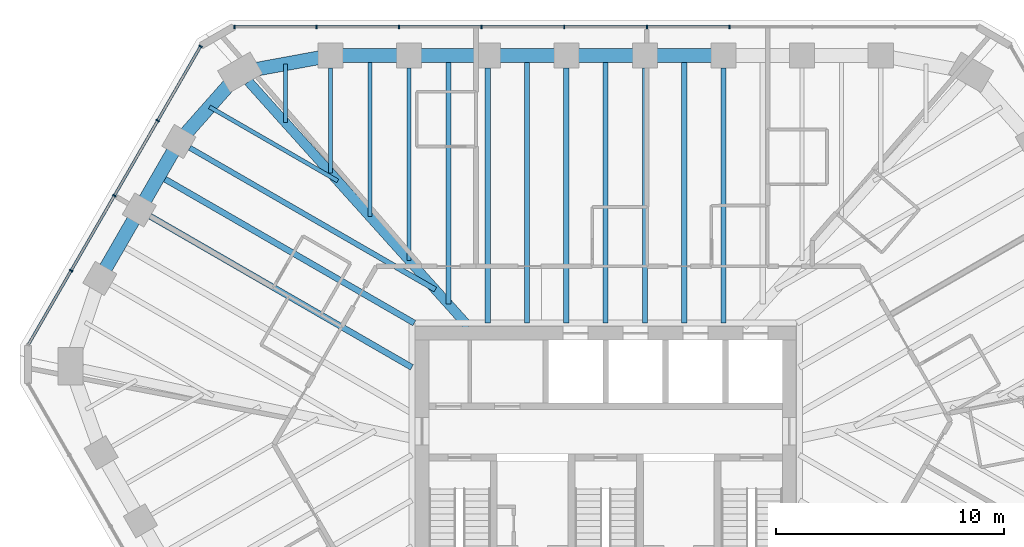
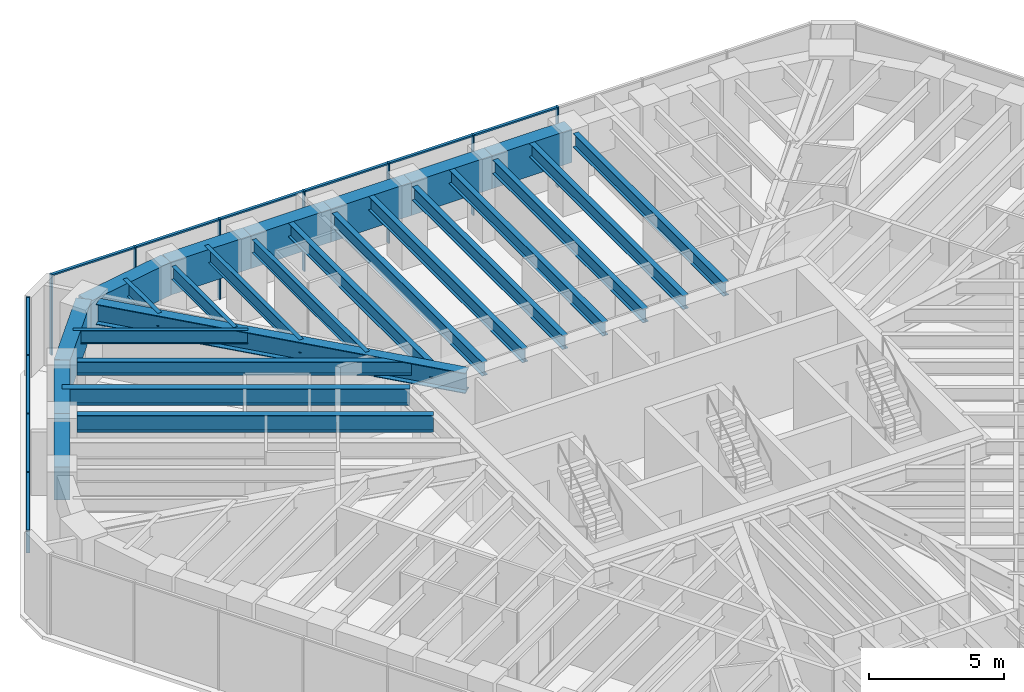
# One storey, part 6 of 14: 26 beams, 21 members, 2 elements without a shape of their own.
"""IFC4 building model written with IfcOpenShell, lengths in metres."""

from ifc_helpers import new_model, si_unit, direction, frame, origin, origin_2d, place, context, subcontext, project, spatial, rectangle, i_section, extrude, material, material_profile, profile_set, type_object, element, aggregate, save


model = new_model("IFC4")

# Units and contexts
model_context = context("Model", 3, precision=1e-05, world=origin(), true_north=direction((0.0, 1.0)))
body_context = subcontext(model_context, "Body", "Model", "MODEL_VIEW")
ifc_project = project(units=[si_unit("LENGTHUNIT", "METRE"), si_unit("AREAUNIT", "SQUARE_METRE"), si_unit("VOLUMEUNIT", "CUBIC_METRE"), si_unit("PLANEANGLEUNIT", "RADIAN"), si_unit("MASSUNIT", "GRAM", prefix="KILO")], contexts=[model_context])

# Site, building, storey
site_placement = place(None, origin())
site = spatial("IfcSite", under=ifc_project, at=site_placement, CompositionType="ELEMENT")
building_placement = place(site_placement, origin())
building = spatial("IfcBuilding", under=site, at=building_placement, Name="Sandreach Pilgrim Tower", CompositionType="ELEMENT")
storey_placement = place(building_placement, frame((0.0, 0.0, 276.0)))
storey = spatial("IfcBuildingStorey", under=building, at=storey_placement, Name="L69", CompositionType="ELEMENT", Elevation=276.0)

# Curtain wall, members
ifc_material_1 = material(Name="Aluminium framed curtain wall", Category="aluminium")
curtain_wall_type = type_object("IfcCurtainWallType", Name="Suite tower curtain wall", PredefinedType="NOTDEFINED", material=ifc_material_1)
curtain_wall_1_placement = place(storey_placement, origin())
curtain_wall_1 = element("IfcCurtainWall", 1, at=curtain_wall_1_placement, inside=storey, type_object=curtain_wall_type, Name="CW-4 L69 N", PredefinedType="NOTDEFINED")
ifc_material_2 = material(Name="Aluminium extrusion", Category="aluminium")
ifc_material_profile_1 = material_profile(ifc_material_2, rectangle(XDim=0.06005859375, YDim=0.159912109375, at=origin_2d()), Name="CW-4M 60X160")
ifc_profile_set_1 = profile_set([ifc_material_profile_1], Name="Aluminium extrusion")
member_type_1 = type_object("IfcMemberType", Name="CW-4 mullion", PredefinedType="MULLION", material=ifc_profile_set_1)
member_1_placement = place(storey_placement, frame((-16.268310546875, 19.826416015625, 0.0), z_axis=(0.0, 0.0, 1.0), x_axis=(1.0, 0.0, 0.0)))
member_1 = element("IfcMember", 2, at=member_1_placement, type_object=member_type_1, Name="CW-4 mullion 1", PredefinedType="MULLION", context=body_context, shape_type="SweptSolid", body=[
    extrude(rectangle(XDim=0.06005859375, YDim=0.159912109375, at=origin_2d()), origin(), (0.0, 0.0, 1.0), 3.639892578125),
])
member_2_placement = place(storey_placement, frame((-12.676513671875, 19.826416015625, 0.0), z_axis=(0.0, 0.0, 1.0), x_axis=(1.0, 0.0, 0.0)))
member_2 = element("IfcMember", 3, at=member_2_placement, type_object=member_type_1, Name="CW-4 mullion 2", PredefinedType="MULLION", context=body_context, shape_type="SweptSolid", body=[
    extrude(rectangle(XDim=0.06005859375, YDim=0.159912109375, at=origin_2d()), origin(), (0.0, 0.0, 1.0), 3.639892578125),
])
member_3_placement = place(storey_placement, frame((-9.0546875, 19.826416015625, 0.0), z_axis=(0.0, 0.0, 1.0), x_axis=(1.0, 0.0, 0.0)))
member_3 = element("IfcMember", 4, at=member_3_placement, type_object=member_type_1, Name="CW-4 mullion 3", PredefinedType="MULLION", context=body_context, shape_type="SweptSolid", body=[
    extrude(rectangle(XDim=0.06005859375, YDim=0.159912109375, at=origin_2d()), origin(), (0.0, 0.0, 1.0), 3.639892578125),
])
member_4_placement = place(storey_placement, frame((-5.432861328125, 19.826416015625, 0.0), z_axis=(0.0, 0.0, 1.0), x_axis=(1.0, 0.0, 0.0)))
member_4 = element("IfcMember", 5, at=member_4_placement, type_object=member_type_1, Name="CW-4 mullion 4", PredefinedType="MULLION", context=body_context, shape_type="SweptSolid", body=[
    extrude(rectangle(XDim=0.06005859375, YDim=0.159912109375, at=origin_2d()), origin(), (0.0, 0.0, 1.0), 3.639892578125),
])
member_5_placement = place(storey_placement, frame((-1.81103515625, 19.826416015625, 0.0), z_axis=(0.0, 0.0, 1.0), x_axis=(1.0, 0.0, 0.0)))
member_5 = element("IfcMember", 6, at=member_5_placement, type_object=member_type_1, Name="CW-4 mullion 5", PredefinedType="MULLION", context=body_context, shape_type="SweptSolid", body=[
    extrude(rectangle(XDim=0.06005859375, YDim=0.159912109375, at=origin_2d()), origin(), (0.0, 0.0, 1.0), 3.639892578125),
])
member_6_placement = place(storey_placement, frame((1.81103515625, 19.826416015625, 0.0), z_axis=(0.0, 0.0, 1.0), x_axis=(1.0, 0.0, 0.0)))
member_6 = element("IfcMember", 7, at=member_6_placement, type_object=member_type_1, Name="CW-4 mullion 6", PredefinedType="MULLION", context=body_context, shape_type="SweptSolid", body=[
    extrude(rectangle(XDim=0.06005859375, YDim=0.159912109375, at=origin_2d()), origin(), (0.0, 0.0, 1.0), 3.639892578125),
])
member_7_placement = place(storey_placement, frame((5.432861328125, 19.826416015625, 0.0), z_axis=(0.0, 0.0, 1.0), x_axis=(1.0, 0.0, 0.0)))
member_7 = element("IfcMember", 8, at=member_7_placement, type_object=member_type_1, Name="CW-4 mullion 7", PredefinedType="MULLION", context=body_context, shape_type="SweptSolid", body=[
    extrude(rectangle(XDim=0.06005859375, YDim=0.159912109375, at=origin_2d()), origin(), (0.0, 0.0, 1.0), 3.639892578125),
])

curtain_wall_2_placement = place(storey_placement, origin())
curtain_wall_2 = element("IfcCurtainWall", 9, at=curtain_wall_2_placement, inside=storey, type_object=curtain_wall_type, Name="CW-4 L69 NW", PredefinedType="NOTDEFINED")
member_8_placement = place(storey_placement, frame((-23.423583984375, 9.145263671875, 0.0), z_axis=(0.0, 0.0, 1.0), x_axis=(0.5, 0.866025403784, 0.0)))
member_8 = element("IfcMember", 10, at=member_8_placement, type_object=member_type_1, Name="CW-4 mullion 2", PredefinedType="MULLION", context=body_context, shape_type="SweptSolid", body=[
    extrude(rectangle(XDim=0.06005859375, YDim=0.159912109375, at=origin_2d()), origin(), (0.0, 0.0, 1.0), 3.639892578125),
])
member_9_placement = place(storey_placement, frame((-21.527587890625, 12.428955078125, 0.0), z_axis=(0.0, 0.0, 1.0), x_axis=(0.5, 0.866025403784, 0.0)))
member_9 = element("IfcMember", 11, at=member_9_placement, type_object=member_type_1, Name="CW-4 mullion 3", PredefinedType="MULLION", context=body_context, shape_type="SweptSolid", body=[
    extrude(rectangle(XDim=0.06005859375, YDim=0.159912109375, at=origin_2d()), origin(), (0.0, 0.0, 1.0), 3.639892578125),
])
member_10_placement = place(storey_placement, frame((-19.6318359375, 15.712646484375, 0.0), z_axis=(0.0, 0.0, 1.0), x_axis=(0.5, 0.866025403784, 0.0)))
member_10 = element("IfcMember", 12, at=member_10_placement, type_object=member_type_1, Name="CW-4 mullion 4", PredefinedType="MULLION", context=body_context, shape_type="SweptSolid", body=[
    extrude(rectangle(XDim=0.06005859375, YDim=0.159912109375, at=origin_2d()), origin(), (0.0, 0.0, 1.0), 3.639892578125),
])
member_11_placement = place(storey_placement, frame((-17.7509765625, 18.970458984375, 0.0), z_axis=(0.0, 0.0, 1.0), x_axis=(0.5, 0.866025403784, 0.0)))
member_11 = element("IfcMember", 13, at=member_11_placement, type_object=member_type_1, Name="CW-4 mullion 5", PredefinedType="MULLION", context=body_context, shape_type="SweptSolid", body=[
    extrude(rectangle(XDim=0.06005859375, YDim=0.159912109375, at=origin_2d()), origin(), (0.0, 0.0, 1.0), 3.639892578125),
])

# Member
ifc_material_3 = material(Name="Aluminium extrusion", Category="aluminium")
ifc_material_profile_2 = material_profile(ifc_material_3, rectangle(XDim=0.1201171875, YDim=0.070068359375, at=origin_2d()), Name="CW-4T 120X70")
ifc_profile_set_2 = profile_set([ifc_material_profile_2], Name="Aluminium extrusion")
member_type_2 = type_object("IfcMemberType", Name="CW-4 transom", PredefinedType="USERDEFINED", material=ifc_profile_set_2)
member_12_placement = place(storey_placement, frame((-16.23828125, 19.826416015625, 3.60498046875), z_axis=(1.0, 0.0, 0.0), x_axis=(0.0, 1.0, 0.0)))
member_12 = element("IfcMember", 14, at=member_12_placement, type_object=member_type_2, Name="CW-4 head transom 1", ObjectType="TRANSOM", PredefinedType="USERDEFINED", context=body_context, shape_type="SweptSolid", body=[
    extrude(rectangle(XDim=0.1201171875, YDim=0.070068359375, at=origin_2d()), origin(), (0.0, 0.0, 1.0), 3.53173828125),
])

member_13_placement = place(storey_placement, frame((-12.646484375, 19.826416015625, 3.60498046875), z_axis=(1.0, 0.0, 0.0), x_axis=(0.0, 1.0, 0.0)))
member_13 = element("IfcMember", 15, at=member_13_placement, type_object=member_type_2, Name="CW-4 head transom 2", ObjectType="TRANSOM", PredefinedType="USERDEFINED", context=body_context, shape_type="SweptSolid", body=[
    extrude(rectangle(XDim=0.1201171875, YDim=0.070068359375, at=origin_2d()), origin(), (0.0, 0.0, 1.0), 3.561767578125),
])

member_14_placement = place(storey_placement, frame((-9.024658203125, 19.826416015625, 3.60498046875), z_axis=(1.0, 0.0, 0.0), x_axis=(0.0, 1.0, 0.0)))
member_14 = element("IfcMember", 16, at=member_14_placement, type_object=member_type_2, Name="CW-4 head transom 3", ObjectType="TRANSOM", PredefinedType="USERDEFINED", context=body_context, shape_type="SweptSolid", body=[
    extrude(rectangle(XDim=0.1201171875, YDim=0.070068359375, at=origin_2d()), origin(), (0.0, 0.0, 1.0), 3.561767578125),
])

member_15_placement = place(storey_placement, frame((-5.40283203125, 19.826416015625, 3.60498046875), z_axis=(1.0, 0.0, 0.0), x_axis=(0.0, 1.0, 0.0)))
member_15 = element("IfcMember", 17, at=member_15_placement, type_object=member_type_2, Name="CW-4 head transom 4", ObjectType="TRANSOM", PredefinedType="USERDEFINED", context=body_context, shape_type="SweptSolid", body=[
    extrude(rectangle(XDim=0.1201171875, YDim=0.070068359375, at=origin_2d()), origin(), (0.0, 0.0, 1.0), 3.56201171875),
])

member_16_placement = place(storey_placement, frame((-1.781005859375, 19.826416015625, 3.60498046875), z_axis=(1.0, 0.0, 0.0), x_axis=(0.0, 1.0, 0.0)))
member_16 = element("IfcMember", 18, at=member_16_placement, type_object=member_type_2, Name="CW-4 head transom 5", ObjectType="TRANSOM", PredefinedType="USERDEFINED", context=body_context, shape_type="SweptSolid", body=[
    extrude(rectangle(XDim=0.1201171875, YDim=0.070068359375, at=origin_2d()), origin(), (0.0, 0.0, 1.0), 3.56201171875),
])

member_17_placement = place(storey_placement, frame((1.8408203125, 19.826416015625, 3.60498046875), z_axis=(1.0, 0.0, 0.0), x_axis=(0.0, 1.0, 0.0)))
member_17 = element("IfcMember", 19, at=member_17_placement, type_object=member_type_2, Name="CW-4 head transom 6", ObjectType="TRANSOM", PredefinedType="USERDEFINED", context=body_context, shape_type="SweptSolid", body=[
    extrude(rectangle(XDim=0.1201171875, YDim=0.070068359375, at=origin_2d()), origin(), (0.0, 0.0, 1.0), 3.56201171875),
])

aggregate(curtain_wall_1, [member_1, member_2, member_3, member_4, member_5, member_6, member_7, member_12, member_13, member_14, member_15, member_16, member_17])

member_18_placement = place(storey_placement, frame((-25.289306640625, 5.91357421875, 3.60498046875), z_axis=(0.499990780478, 0.866030726613, 0.0), x_axis=(-0.866030726613, 0.499990780478, 0.0)))
member_18 = element("IfcMember", 20, at=member_18_placement, type_object=member_type_2, Name="CW-4 head transom 1", ObjectType="TRANSOM", PredefinedType="USERDEFINED", context=body_context, shape_type="SweptSolid", body=[
    extrude(rectangle(XDim=0.1201171875, YDim=0.070068359375, at=origin_2d()), origin(), (0.0, 0.0, 1.0), 3.70166015625),
])

member_19_placement = place(storey_placement, frame((-23.408447265625, 9.17138671875, 3.60498046875), z_axis=(0.499981083104, 0.866036325184, 0.0), x_axis=(-0.866036325184, 0.499981083104, 0.0)))
member_19 = element("IfcMember", 21, at=member_19_placement, type_object=member_type_2, Name="CW-4 head transom 2", ObjectType="TRANSOM", PredefinedType="USERDEFINED", context=body_context, shape_type="SweptSolid", body=[
    extrude(rectangle(XDim=0.1201171875, YDim=0.070068359375, at=origin_2d()), origin(), (0.0, 0.0, 1.0), 3.731689453125),
])

member_20_placement = place(storey_placement, frame((-21.5126953125, 12.455078125, 3.60498046875), z_axis=(0.500030151002, 0.866007995396, 0.0), x_axis=(-0.866007995396, 0.500030151002, 0.0)))
member_20 = element("IfcMember", 22, at=member_20_placement, type_object=member_type_2, Name="CW-4 head transom 3", ObjectType="TRANSOM", PredefinedType="USERDEFINED", context=body_context, shape_type="SweptSolid", body=[
    extrude(rectangle(XDim=0.1201171875, YDim=0.070068359375, at=origin_2d()), origin(), (0.0, 0.0, 1.0), 3.731689453125),
])

member_21_placement = place(storey_placement, frame((-19.616943359375, 15.73876953125, 3.60498046875), z_axis=(0.499990780478, 0.866030726613, 0.0), x_axis=(-0.866030726613, 0.499990780478, 0.0)))
member_21 = element("IfcMember", 23, at=member_21_placement, type_object=member_type_2, Name="CW-4 head transom 4", ObjectType="TRANSOM", PredefinedType="USERDEFINED", context=body_context, shape_type="SweptSolid", body=[
    extrude(rectangle(XDim=0.1201171875, YDim=0.070068359375, at=origin_2d()), origin(), (0.0, 0.0, 1.0), 3.70166015625),
])

aggregate(curtain_wall_2, [member_8, member_9, member_10, member_11, member_18, member_19, member_20, member_21])

# Beams
ifc_material_4 = material(Name="Steel ASTM A992 Grade 50", Category="steel")
ifc_material_profile_3 = material_profile(ifc_material_4, i_section(OverallWidth=0.419189453125, OverallDepth=0.927001953125, WebThickness=0.019287109375, FlangeThickness=0.031982421875, at=origin_2d()), Name="W36X231")
ifc_profile_set_3 = profile_set([ifc_material_profile_3], Name="Steel ASTM A992 Grade 50")
beam_type_1 = type_object("IfcBeamType", Name="Corner girder W36X231", PredefinedType="BEAM", material=ifc_profile_set_3)
beam_1_placement = place(storey_placement, frame((-15.649169921875, 17.427978515625, 3.176513671875), z_axis=(0.668114851597, -0.74405815974, 0.0), x_axis=(0.74405815974, 0.668114851597, 0.0)))
element("IfcBeam", 24, at=beam_1_placement, inside=storey, type_object=beam_type_1, Name="BM L69 CG39", PredefinedType="BEAM", context=body_context, shape_type="SweptSolid", body=[
    extrude(i_section(OverallWidth=0.419189453125, OverallDepth=0.927001953125, WebThickness=0.019287109375, FlangeThickness=0.031982421875, at=origin_2d()), origin(), (0.0, 0.0, 1.0), 14.418212890625),
])
ifc_material_5 = material(Name="Steel ASTM A992 Grade 50", Category="steel")
ifc_material_profile_4 = material_profile(ifc_material_5, i_section(OverallWidth=0.1787109375, OverallDepth=0.60205078125, WebThickness=0.010986328125, FlangeThickness=0.014892578125, at=origin_2d()), Name="W24X62")
ifc_profile_set_4 = profile_set([ifc_material_profile_4], Name="Steel ASTM A992 Grade 50")
beam_type_2 = type_object("IfcBeamType", Name="Floor beam W24X62", PredefinedType="BEAM", material=ifc_profile_set_4)
beam_2_placement = place(storey_placement, frame((-12.0576171875, 18.016357421875, 3.339111328125), z_axis=(0.0, -1.0, 0.0), x_axis=(1.0, 0.0, 0.0)))
element("IfcBeam", 25, at=beam_2_placement, inside=storey, type_object=beam_type_2, Name="BM L69 F01", PredefinedType="BEAM", context=body_context, shape_type="SweptSolid", body=[
    extrude(i_section(OverallWidth=0.1787109375, OverallDepth=0.60205078125, WebThickness=0.010986328125, FlangeThickness=0.014892578125, at=origin_2d()), origin(), (0.0, 0.0, 1.0), 4.58837890625),
])
beam_3_placement = place(storey_placement, frame((-8.612548828125, 18.016357421875, 3.339111328125), z_axis=(0.0, -1.0, 0.0), x_axis=(1.0, 0.0, 0.0)))
element("IfcBeam", 26, at=beam_3_placement, inside=storey, type_object=beam_type_2, Name="BM L69 F02", PredefinedType="BEAM", context=body_context, shape_type="SweptSolid", body=[
    extrude(i_section(OverallWidth=0.1787109375, OverallDepth=0.60205078125, WebThickness=0.010986328125, FlangeThickness=0.014892578125, at=origin_2d()), origin(), (0.0, 0.0, 1.0), 8.4248046875),
])
beam_4_placement = place(storey_placement, frame((-10.3349609375, 18.56640625, 3.339111328125), z_axis=(0.0, -1.0, 0.0), x_axis=(1.0, 0.0, 0.0)))
element("IfcBeam", 27, at=beam_4_placement, inside=storey, type_object=beam_type_2, Name="BM L69 FM01", PredefinedType="BEAM", context=body_context, shape_type="SweptSolid", body=[
    extrude(i_section(OverallWidth=0.1787109375, OverallDepth=0.60205078125, WebThickness=0.010986328125, FlangeThickness=0.014892578125, at=origin_2d()), origin(), (0.0, 0.0, 1.0), 7.056640625),
])
beam_5_placement = place(storey_placement, frame((-17.360107421875, 16.31884765625, 3.339111328125), z_axis=(0.866023980233, -0.500002465655, 0.0), x_axis=(0.500002465655, 0.866023980233, 0.0)))
element("IfcBeam", 28, at=beam_5_placement, inside=storey, type_object=beam_type_2, Name="BM L69 FM38", PredefinedType="BEAM", context=body_context, shape_type="SweptSolid", body=[
    extrude(i_section(OverallWidth=0.1787109375, OverallDepth=0.60205078125, WebThickness=0.010986328125, FlangeThickness=0.014892578125, at=origin_2d()), origin(), (0.0, 0.0, 1.0), 6.49072265625),
])
beam_6_placement = place(storey_placement, frame((-14.037109375, 18.201904296875, 3.339111328125), z_axis=(0.0, -1.0, 0.0), x_axis=(1.0, 0.0, 0.0)))
element("IfcBeam", 29, at=beam_6_placement, inside=storey, type_object=beam_type_2, Name="BM L69 FM39", PredefinedType="BEAM", context=body_context, shape_type="SweptSolid", body=[
    extrude(i_section(OverallWidth=0.1787109375, OverallDepth=0.60205078125, WebThickness=0.010986328125, FlangeThickness=0.014892578125, at=origin_2d()), origin(), (0.0, 0.0, 1.0), 2.5693359375),
])
ifc_material_6 = material(Name="Steel ASTM A992 Grade 50", Category="steel")
ifc_material_profile_5 = material_profile(ifc_material_6, i_section(OverallWidth=0.23046875, OverallDepth=0.6171875, WebThickness=0.01318359375, FlangeThickness=0.022216796875, at=origin_2d()), Name="W24X94")
ifc_profile_set_5 = profile_set([ifc_material_profile_5], Name="Steel ASTM A992 Grade 50")
beam_type_3 = type_object("IfcBeamType", Name="Floor beam W24X94", PredefinedType="BEAM", material=ifc_profile_set_5)
for number, where, z_axis, x_axis, name in (
    (30, (-5.16748046875, 18.016357421875, 3.331298828125), (0.0, -1.0, 0.0), (1.0, 0.0, 0.0), "BM L69 F03"),
    (31, (-1.722412109375, 18.016357421875, 3.331298828125), (0.0, -1.0, 0.0), (1.0, 0.0, 0.0), "BM L69 F04"),
    (32, (1.722412109375, 18.016357421875, 3.331298828125), (0.0, -1.0, 0.0), (1.0, 0.0, 0.0), "BM L69 F05"),
    (33, (5.16748046875, 18.016357421875, 3.331298828125), (0.0, -1.0, 0.0), (1.0, 0.0, 0.0), "BM L69 F06"),
):
    element("IfcBeam", number, at=place(storey_placement, frame(where, z_axis=z_axis, x_axis=x_axis)), inside=storey, type_object=beam_type_3, Name=name, PredefinedType="BEAM", context=body_context, shape_type="SweptSolid", body=[
        extrude(i_section(OverallWidth=0.23046875, OverallDepth=0.6171875, WebThickness=0.01318359375, FlangeThickness=0.022216796875, at=origin_2d()), origin(), (0.0, 0.0, 1.0), 11.173095703125),
    ])
beam_7_placement = place(storey_placement, frame((-18.227294921875, 14.525390625, 3.331298828125), z_axis=(0.866020427415, -0.500008619226, 0.0), x_axis=(0.500008619226, 0.866020427415, 0.0)))
element("IfcBeam", 34, at=beam_7_placement, inside=storey, type_object=beam_type_3, Name="BM L69 F38", PredefinedType="BEAM", context=body_context, shape_type="SweptSolid", body=[
    extrude(i_section(OverallWidth=0.23046875, OverallDepth=0.6171875, WebThickness=0.01318359375, FlangeThickness=0.022216796875, at=origin_2d()), origin(), (0.0, 0.0, 1.0), 12.431396484375),
])
beam_8_placement = place(storey_placement, frame((-6.89013671875, 18.56640625, 3.331298828125), z_axis=(0.0, -1.0, 0.0), x_axis=(1.0, 0.0, 0.0)))
element("IfcBeam", 35, at=beam_8_placement, inside=storey, type_object=beam_type_3, Name="BM L69 FM02", PredefinedType="BEAM", context=body_context, shape_type="SweptSolid", body=[
    extrude(i_section(OverallWidth=0.23046875, OverallDepth=0.6171875, WebThickness=0.01318359375, FlangeThickness=0.022216796875, at=origin_2d()), origin(), (0.0, 0.0, 1.0), 10.893310546875),
])
for number, where, z_axis, x_axis, name in (
    (36, (-3.445068359375, 18.56640625, 3.331298828125), (0.0, -1.0, 0.0), (1.0, 0.0, 0.0), "BM L69 FM03"),
    (37, (0.0, 18.56640625, 3.331298828125), (0.0, -1.0, 0.0), (1.0, 0.0, 0.0), "BM L69 FM04"),
    (38, (3.445068359375, 18.56640625, 3.331298828125), (0.0, -1.0, 0.0), (1.0, 0.0, 0.0), "BM L69 FM05"),
):
    element("IfcBeam", number, at=place(storey_placement, frame(where, z_axis=z_axis, x_axis=x_axis)), inside=storey, type_object=beam_type_3, Name=name, PredefinedType="BEAM", context=body_context, shape_type="SweptSolid", body=[
        extrude(i_section(OverallWidth=0.23046875, OverallDepth=0.6171875, WebThickness=0.01318359375, FlangeThickness=0.022216796875, at=origin_2d()), origin(), (0.0, 0.0, 1.0), 11.72314453125),
    ])
ifc_material_7 = material(Name="Steel ASTM A992 Grade 50", Category="steel")
ifc_material_profile_6 = material_profile(ifc_material_7, i_section(OverallWidth=0.2666015625, OverallDepth=0.761962890625, WebThickness=0.014404296875, FlangeThickness=0.021484375, at=origin_2d()), Name="W30X116")
ifc_profile_set_6 = profile_set([ifc_material_profile_6], Name="Steel ASTM A992 Grade 50")
beam_type_4 = type_object("IfcBeamType", Name="Floor beam W30X116", PredefinedType="BEAM", material=ifc_profile_set_6)
beam_9_placement = place(storey_placement, frame((-19.960205078125, 11.52392578125, 3.259033203125), z_axis=(0.86602530353, -0.500000173646, 0.0), x_axis=(0.500000173646, 0.86602530353, 0.0)))
element("IfcBeam", 39, at=beam_9_placement, inside=storey, type_object=beam_type_4, Name="BM L69 F37", PredefinedType="BEAM", context=body_context, shape_type="SweptSolid", body=[
    extrude(i_section(OverallWidth=0.2666015625, OverallDepth=0.761962890625, WebThickness=0.014404296875, FlangeThickness=0.021484375, at=origin_2d()), origin(), (0.0, 0.0, 1.0), 13.24072265625),
])
beam_10_placement = place(storey_placement, frame((-19.570068359375, 13.299560546875, 3.259033203125), z_axis=(0.866025008595, -0.500000684488, 0.0), x_axis=(0.500000684488, 0.866025008595, 0.0)))
element("IfcBeam", 40, at=beam_10_placement, inside=storey, type_object=beam_type_4, Name="BM L69 FM37", PredefinedType="BEAM", context=body_context, shape_type="SweptSolid", body=[
    extrude(i_section(OverallWidth=0.2666015625, OverallDepth=0.761962890625, WebThickness=0.014404296875, FlangeThickness=0.021484375, at=origin_2d()), origin(), (0.0, 0.0, 1.0), 12.91259765625),
])
ifc_material_8 = material(Name="Concrete 10000 psi", Category="concrete")
ifc_material_profile_7 = material_profile(ifc_material_8, rectangle(XDim=0.60009765625, YDim=1.5, at=origin_2d()), Name="RC600X1500")
ifc_profile_set_7 = profile_set([ifc_material_profile_7], Name="Concrete 10000 psi")
beam_type_5 = type_object("IfcBeamType", Name="Spandrel beam RC600X1500", PredefinedType="SPANDREL", material=ifc_profile_set_7)
for number, where, z_axis, x_axis, name in (
    (41, (-12.0576171875, 18.56640625, 2.889892578125), (1.0, 0.0, 0.0), (0.0, 1.0, 0.0), "BM L69 SP01"),
    (42, (-8.612548828125, 18.56640625, 2.889892578125), (1.0, 0.0, 0.0), (0.0, 1.0, 0.0), "BM L69 SP02"),
    (43, (-5.16748046875, 18.56640625, 2.889892578125), (1.0, 0.0, 0.0), (0.0, 1.0, 0.0), "BM L69 SP03"),
):
    element("IfcBeam", number, at=place(storey_placement, frame(where, z_axis=z_axis, x_axis=x_axis)), inside=storey, type_object=beam_type_5, Name=name, PredefinedType="SPANDREL", context=body_context, shape_type="SweptSolid", body=[
        extrude(rectangle(XDim=0.60009765625, YDim=1.5, at=origin_2d()), origin(), (0.0, 0.0, 1.0), 3.445068359375),
    ])
beam_11_placement = place(storey_placement, frame((-1.722412109375, 18.56640625, 2.889892578125), z_axis=(1.0, 0.0, 0.0), x_axis=(0.0, 1.0, 0.0)))
element("IfcBeam", 44, at=beam_11_placement, inside=storey, type_object=beam_type_5, Name="BM L69 SP04", PredefinedType="SPANDREL", context=body_context, shape_type="SweptSolid", body=[
    extrude(rectangle(XDim=0.60009765625, YDim=1.5, at=origin_2d()), origin(), (0.0, 0.0, 1.0), 3.44482421875),
])
beam_12_placement = place(storey_placement, frame((1.722412109375, 18.56640625, 2.889892578125), z_axis=(1.0, 0.0, 0.0), x_axis=(0.0, 1.0, 0.0)))
element("IfcBeam", 45, at=beam_12_placement, inside=storey, type_object=beam_type_5, Name="BM L69 SP05", PredefinedType="SPANDREL", context=body_context, shape_type="SweptSolid", body=[
    extrude(rectangle(XDim=0.60009765625, YDim=1.5, at=origin_2d()), origin(), (0.0, 0.0, 1.0), 3.445068359375),
])
for number, where, z_axis, x_axis, name in (
    (46, (-22.169189453125, 8.7978515625, 2.889892578125), (0.499980616072, 0.866036594811, 0.0), (-0.866036594811, 0.499980616072, 0.0), "BM L69 SP36"),
    (47, (-20.4365234375, 11.799072265625, 2.889892578125), (0.500033451825, 0.866006089503, 0.0), (-0.866006089503, 0.500033451825, 0.0), "BM L69 SP37"),
):
    element("IfcBeam", number, at=place(storey_placement, frame(where, z_axis=z_axis, x_axis=x_axis)), inside=storey, type_object=beam_type_5, Name=name, PredefinedType="SPANDREL", context=body_context, shape_type="SweptSolid", body=[
        extrude(rectangle(XDim=0.60009765625, YDim=1.5, at=origin_2d()), origin(), (0.0, 0.0, 1.0), 3.465576171875),
    ])
beam_13_placement = place(storey_placement, frame((-18.70361328125, 14.80029296875, 2.889892578125), z_axis=(0.662650525414, 0.748928755736, 0.0), x_axis=(-0.748928755736, 0.662650525414, 0.0)))
element("IfcBeam", 48, at=beam_13_placement, inside=storey, type_object=beam_type_5, Name="BM L69 SP38", PredefinedType="SPANDREL", context=body_context, shape_type="SweptSolid", body=[
    extrude(rectangle(XDim=0.60009765625, YDim=1.5, at=origin_2d()), origin(), (0.0, 0.0, 1.0), 4.054931640625),
])
beam_14_placement = place(storey_placement, frame((-16.0166015625, 17.837158203125, 2.889892578125), z_axis=(0.983454894629, 0.181153167875, 0.0), x_axis=(-0.181153167875, 0.983454894629, 0.0)))
element("IfcBeam", 49, at=beam_14_placement, inside=storey, type_object=beam_type_5, Name="BM L69 SP39", PredefinedType="SPANDREL", context=body_context, shape_type="SweptSolid", body=[
    extrude(rectangle(XDim=0.60009765625, YDim=1.5, at=origin_2d()), origin(), (0.0, 0.0, 1.0), 4.025634765625),
])

save(model, "model.ifc")
